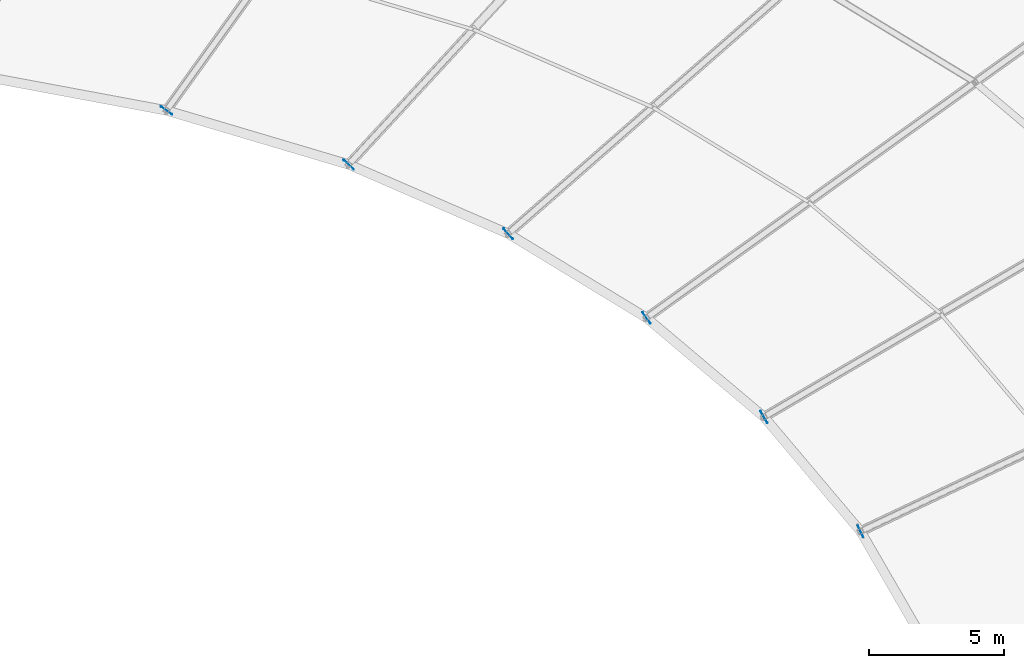
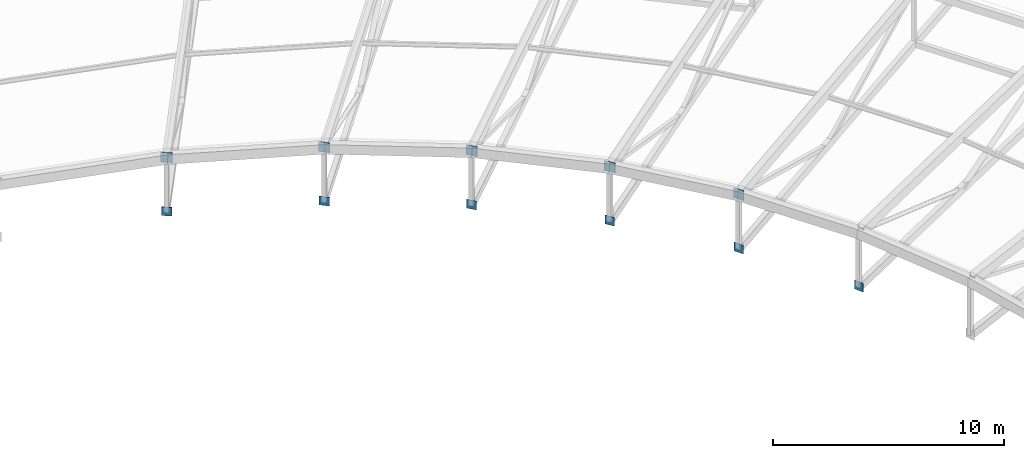
# One storey, part 127 of 143: 11 plates.
"""IFC4 building model written with IfcOpenShell, lengths in metres."""

from ifc_helpers import new_model, si_unit, direction, frame, origin, origin_2d, place, context, subcontext, project, spatial, rectangle, extrude, material, layer, layer_set, type_object, element, save


model = new_model("IFC4")

# Units and contexts
model_context = context("Model", 3, precision=1e-05, world=origin(), true_north=direction((0.0, 1.0)))
body_context = subcontext(model_context, "Body", "Model", "MODEL_VIEW")
ifc_project = project(units=[si_unit("LENGTHUNIT", "METRE"), si_unit("AREAUNIT", "SQUARE_METRE"), si_unit("VOLUMEUNIT", "CUBIC_METRE"), si_unit("PLANEANGLEUNIT", "RADIAN"), si_unit("MASSUNIT", "GRAM", prefix="KILO")], contexts=[model_context])

# Site, building, storey
site_placement = place(None, origin())
site = spatial("IfcSite", under=ifc_project, at=site_placement, CompositionType="ELEMENT")
building_placement = place(site_placement, origin())
building = spatial("IfcBuilding", under=site, at=building_placement, Name="Mphavela Belvedere Stadium", CompositionType="ELEMENT")
storey_placement = place(building_placement, frame((0.0, 0.0, 28.800048828125)))
storey = spatial("IfcBuildingStorey", under=building, at=storey_placement, Name="RF", CompositionType="ELEMENT", Elevation=28.800048828125)

# Plates
ifc_material_1 = material(Name="Steel S355", Category="steel")
ifc_layer_1 = layer(ifc_material_1, 0.01806640625)
ifc_layer_set_1 = layer_set([ifc_layer_1], Name="Steel S355")
plate_type_1 = type_object("IfcPlateType", Name="PLT-CAP-TRUSS-BC", PredefinedType="USERDEFINED", material=ifc_layer_set_1)
for number, where, z_axis, x_axis, name in (
    (1, (170.693603515625, 113.361572265625, -0.1318359375), (0.0, 0.0, 1.0), (0.903858661687, 0.4278311813, 0.0), "Roof truss RT-05 hollow-end cap plate in_bc"),
    (2, (167.12890625, 117.583251953125, 0.56689453125), (0.0, 0.0, 1.0), (0.862513669207, 0.506033764121, 0.0), "Roof truss RT-06 hollow-end cap plate in_bc"),
    (3, (162.7919921875, 121.24267578125, 1.317138671875), (0.0, 0.0, 1.0), (0.812897512265, 0.582406760395, 0.0), "Roof truss RT-07 hollow-end cap plate in_bc"),
    (4, (157.6845703125, 124.35009765625, 2.067138671875), (0.0, 0.0, 1.0), (0.752529860433, 0.658558128912, 0.0), "Roof truss RT-08 hollow-end cap plate in_bc"),
    (5, (151.79248046875, 126.904296875, 2.76611328125), (0.0, 0.0, 1.0), (0.677903094969, 0.735151272753, 0.0), "Roof truss RT-09 hollow-end cap plate in_bc"),
    (6, (145.068603515625, 128.89990234375, 3.366455078125), (0.0, 0.0, 1.0), (0.582974127943, 0.812490717577, 0.0), "Roof truss RT-10 hollow-end cap plate in_bc"),
):
    element("IfcPlate", number, at=place(storey_placement, frame(where, z_axis=z_axis, x_axis=x_axis)), inside=storey, type_object=plate_type_1, Name=name, ObjectType="GUSSET_PLATE", PredefinedType="USERDEFINED", context=body_context, shape_type="SweptSolid", body=[
        extrude(rectangle(XDim=0.01806640625, YDim=0.4599609375, at=origin_2d()), origin(), (0.0, 0.0, 1.0), 0.4599609375),
    ])
ifc_material_2 = material(Name="Steel S355", Category="steel")
ifc_layer_2 = layer(ifc_material_2, 0.02001953125)
ifc_layer_set_2 = layer_set([ifc_layer_2], Name="Steel S355")
plate_type_2 = type_object("IfcPlateType", Name="PLT-CAP-TRUSS-TC", PredefinedType="USERDEFINED", material=ifc_layer_set_2)
for number, where, z_axis, x_axis, name in (
    (7, (167.12890625, 117.583251953125, 3.386962890625), (0.0, 0.0, 1.0), (0.862513669207, 0.506033764121, 0.0), "Roof truss RT-06 hollow-end cap plate in_tc"),
    (8, (162.7919921875, 121.24267578125, 4.136962890625), (0.0, 0.0, 1.0), (0.812897512265, 0.582406760395, 0.0), "Roof truss RT-07 hollow-end cap plate in_tc"),
    (9, (157.6845703125, 124.35009765625, 4.88720703125), (0.0, 0.0, 1.0), (0.752529860433, 0.658558128912, 0.0), "Roof truss RT-08 hollow-end cap plate in_tc"),
    (10, (151.79248046875, 126.904296875, 5.586181640625), (0.0, 0.0, 1.0), (0.677903094969, 0.735151272753, 0.0), "Roof truss RT-09 hollow-end cap plate in_tc"),
    (11, (145.068603515625, 128.89990234375, 6.186279296875), (0.0, 0.0, 1.0), (0.582974127943, 0.812490717577, 0.0), "Roof truss RT-10 hollow-end cap plate in_tc"),
):
    element("IfcPlate", number, at=place(storey_placement, frame(where, z_axis=z_axis, x_axis=x_axis)), inside=storey, type_object=plate_type_2, Name=name, ObjectType="GUSSET_PLATE", PredefinedType="USERDEFINED", context=body_context, shape_type="SweptSolid", body=[
        extrude(rectangle(XDim=0.02001953125, YDim=0.52001953125, at=origin_2d()), origin(), (0.0, 0.0, 1.0), 0.52001953125),
    ])

save(model, "model.ifc")
